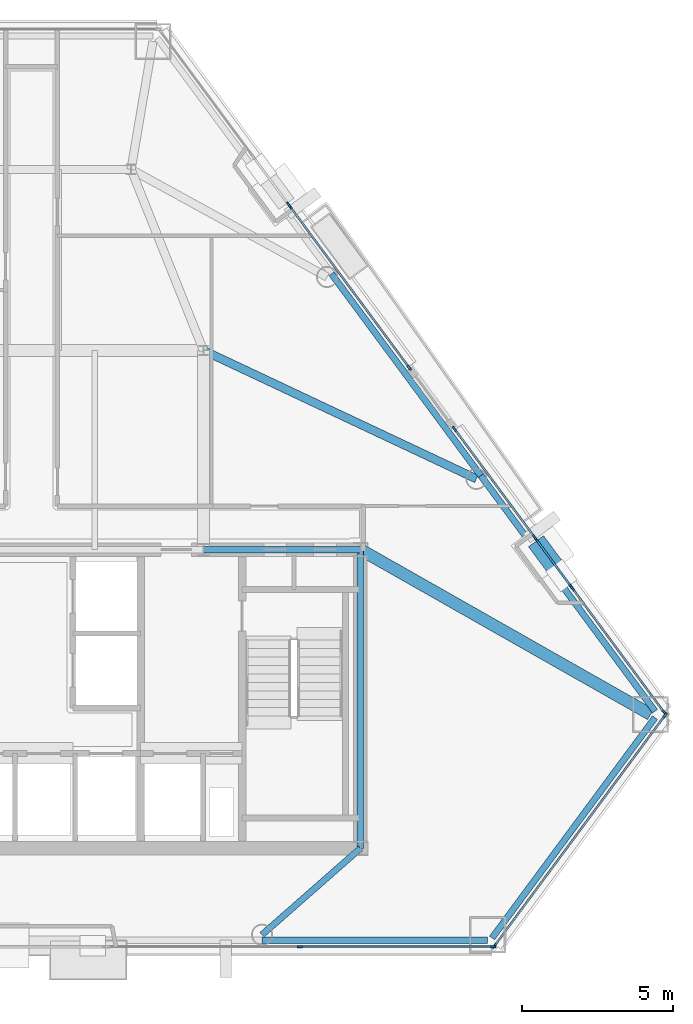
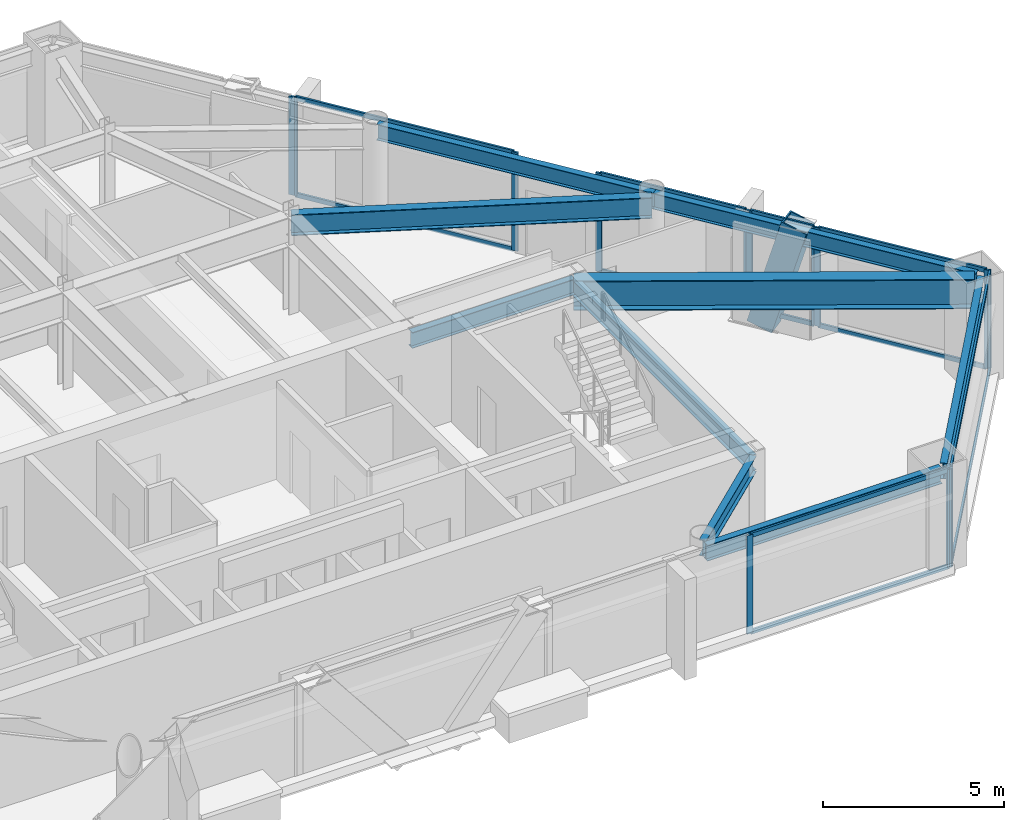
# One storey, part 5 of 11: 26 members, 9 beams, 7 elements without a shape of their own.
"""IFC4 building model written with IfcOpenShell, lengths in metres."""

from ifc_helpers import new_model, si_unit, direction, frame, origin, origin_2d, place, context, subcontext, project, spatial, rectangle, hollow_rectangle, i_section, extrude, material, layer, layer_set, material_profile, profile_set, type_object, element, aggregate, save


model = new_model("IFC4")

# Units and contexts
model_context = context("Model", 3, precision=1e-05, world=origin(), true_north=direction((0.0, 1.0)))
body_context = subcontext(model_context, "Body", "Model", "MODEL_VIEW")
ifc_project = project(units=[si_unit("LENGTHUNIT", "METRE"), si_unit("AREAUNIT", "SQUARE_METRE"), si_unit("VOLUMEUNIT", "CUBIC_METRE"), si_unit("PLANEANGLEUNIT", "RADIAN"), si_unit("MASSUNIT", "GRAM", prefix="KILO")], contexts=[model_context])

# Site, building, storey
site_placement = place(None, origin())
site = spatial("IfcSite", under=ifc_project, at=site_placement, CompositionType="ELEMENT")
building_placement = place(site_placement, origin())
building = spatial("IfcBuilding", under=site, at=building_placement, Name="Talgorran Terracotta Tower", CompositionType="ELEMENT")
storey_placement = place(building_placement, frame((0.0, 0.0, 114.0)))
storey = spatial("IfcBuildingStorey", under=building, at=storey_placement, Name="L29", CompositionType="ELEMENT", Elevation=114.0)

# Beams
ifc_material_1 = material(Name="Steel Grade 350 (350L0)", Category="steel")
ifc_material_profile_1 = material_profile(ifc_material_1, i_section(OverallWidth=0.39990234375, OverallDepth=1.0, WebThickness=0.01611328125, FlangeThickness=0.031005859375, at=origin_2d()), Name="1000WB296")
ifc_profile_set_1 = profile_set([ifc_material_profile_1], Name="Steel Grade 350 (350L0)")
beam_type_1 = type_object("IfcBeamType", Name="BM_1000WB296", PredefinedType="BEAM", material=ifc_profile_set_1)
beam_1_placement = place(storey_placement, frame((12.39990234375, -4.199951171875, 2.820068359375), z_axis=(0.869581927132, -0.493788691654, 0.0), x_axis=(0.493788691654, 0.869581927132, 0.0)))
element("IfcBeam", 1, at=beam_1_placement, inside=storey, type_object=beam_type_1, Name="L29 Floor Girder G18", PredefinedType="BEAM", context=body_context, shape_type="SweptSolid", body=[
    extrude(i_section(OverallWidth=0.39990234375, OverallDepth=1.0, WebThickness=0.01611328125, FlangeThickness=0.031005859375, at=origin_2d()), origin(), (0.0, 0.0, 1.0), 11.061279296875),
])
ifc_material_2 = material(Name="Steel S355 (300PLUS)", Category="steel")
ifc_material_profile_2 = material_profile(ifc_material_2, i_section(OverallWidth=0.27490234375, OverallDepth=0.7080078125, WebThickness=0.011962890625, FlangeThickness=0.02490234375, at=origin_2d()), Name="700WB173")
ifc_profile_set_2 = profile_set([ifc_material_profile_2], Name="Steel S355 (300PLUS)")
beam_type_2 = type_object("IfcBeamType", Name="BM_700WB173", PredefinedType="BEAM", material=ifc_profile_set_2)
beam_2_placement = place(storey_placement, frame((7.199951171875, 2.39990234375, 2.966064453125), z_axis=(0.904850249914, -0.425729990992, 0.0), x_axis=(0.425729990992, 0.904850249914, 0.0)))
element("IfcBeam", 2, at=beam_2_placement, inside=storey, type_object=beam_type_2, Name="L29 Floor Girder G07", PredefinedType="BEAM", context=body_context, shape_type="SweptSolid", body=[
    extrude(i_section(OverallWidth=0.27490234375, OverallDepth=0.7080078125, WebThickness=0.011962890625, FlangeThickness=0.02490234375, at=origin_2d()), origin(), (0.0, 0.0, 1.0), 9.99609375),
])
ifc_material_profile_3 = material_profile(ifc_material_2, i_section(OverallWidth=0.209228515625, OverallDepth=0.532958984375, WebThickness=0.01025390625, FlangeThickness=0.015625, at=origin_2d()), Name="530UB92.4")
ifc_profile_set_3 = profile_set([ifc_material_profile_3], Name="Steel S355 (300PLUS)")
beam_type_3 = type_object("IfcBeamType", Name="BM_SP_530UB92", PredefinedType="SPANDREL", material=ifc_profile_set_3)
beam_3_placement = place(storey_placement, frame((9.14013671875, -17.143310546875, 3.053466796875), z_axis=(1.0, 0.0, 0.0), x_axis=(0.0, 1.0, 0.0)))
element("IfcBeam", 3, at=beam_3_placement, inside=storey, type_object=beam_type_3, Name="L29 Perimeter Spandrel Beam FC2-MC3", PredefinedType="SPANDREL", context=body_context, shape_type="SweptSolid", body=[
    extrude(i_section(OverallWidth=0.209228515625, OverallDepth=0.532958984375, WebThickness=0.01025390625, FlangeThickness=0.015625, at=origin_2d()), origin(), (0.0, 0.0, 1.0), 7.478271484375),
])
beam_4_placement = place(storey_placement, frame((16.762939453125, -17.0703125, 3.053466796875), z_axis=(0.594631406603, 0.803998439228, 0.0), x_axis=(-0.803998439228, 0.594631406603, 0.0)))
element("IfcBeam", 4, at=beam_4_placement, inside=storey, type_object=beam_type_3, Name="L29 Perimeter Spandrel Beam MC3-MC4", PredefinedType="SPANDREL", context=body_context, shape_type="SweptSolid", body=[
    extrude(i_section(OverallWidth=0.209228515625, OverallDepth=0.532958984375, WebThickness=0.01025390625, FlangeThickness=0.015625, at=origin_2d()), origin(), (0.0, 0.0, 1.0), 9.08154296875),
])
beam_5_placement = place(storey_placement, frame((22.1630859375, -9.554931640625, 3.053466796875), z_axis=(-0.594623640759, 0.804004182732, 0.0), x_axis=(-0.804004182732, -0.594623640759, 0.0)))
element("IfcBeam", 5, at=beam_5_placement, inside=storey, type_object=beam_type_3, Name="L29 Perimeter Spandrel Beam MC4-FC3", PredefinedType="SPANDREL", context=body_context, shape_type="SweptSolid", body=[
    extrude(i_section(OverallWidth=0.209228515625, OverallDepth=0.532958984375, WebThickness=0.01025390625, FlangeThickness=0.015625, at=origin_2d()), origin(), (0.0, 0.0, 1.0), 9.70947265625),
])
beam_6_placement = place(storey_placement, frame((16.3896484375, -1.74853515625, 3.053466796875), z_axis=(-0.594631062308, 0.803998693866, 0.0), x_axis=(-0.803998693866, -0.594631062308, 0.0)))
element("IfcBeam", 6, at=beam_6_placement, inside=storey, type_object=beam_type_3, Name="L29 Perimeter Spandrel Beam FC3-FC4", PredefinedType="SPANDREL", context=body_context, shape_type="SweptSolid", body=[
    extrude(i_section(OverallWidth=0.209228515625, OverallDepth=0.532958984375, WebThickness=0.01025390625, FlangeThickness=0.015625, at=origin_2d()), origin(), (0.0, 0.0, 1.0), 8.322265625),
])
beam_7_placement = place(storey_placement, frame((12.39990234375, -14.10009765625, 3.053466796875), z_axis=(-0.751320451725, -0.659937556758, 0.0), x_axis=(0.659937556758, -0.751320451725, 0.0)))
element("IfcBeam", 7, at=beam_7_placement, inside=storey, type_object=beam_type_3, Name="L29 South-East Core Tie Beam", PredefinedType="SPANDREL", context=body_context, shape_type="SweptSolid", body=[
    extrude(i_section(OverallWidth=0.209228515625, OverallDepth=0.532958984375, WebThickness=0.01025390625, FlangeThickness=0.015625, at=origin_2d()), origin(), (0.0, 0.0, 1.0), 4.338623046875),
])
beam_8_placement = place(storey_placement, frame((12.39990234375, -14.10009765625, 3.053466796875), z_axis=(0.0, 1.0, 0.0), x_axis=(-1.0, 0.0, 0.0)))
element("IfcBeam", 8, at=beam_8_placement, inside=storey, type_object=beam_type_3, Name="L29 Core Frame Beam CFE", PredefinedType="SPANDREL", context=body_context, shape_type="SweptSolid", body=[
    extrude(i_section(OverallWidth=0.209228515625, OverallDepth=0.532958984375, WebThickness=0.01025390625, FlangeThickness=0.015625, at=origin_2d()), origin(), (0.0, 0.0, 1.0), 9.900146484375),
])
beam_9_placement = place(storey_placement, frame((7.199951171875, -4.199951171875, 3.053466796875), z_axis=(1.0, 0.0, 0.0), x_axis=(0.0, 1.0, 0.0)))
element("IfcBeam", 9, at=beam_9_placement, inside=storey, type_object=beam_type_3, Name="L29 Core Frame Beam CFN4", PredefinedType="SPANDREL", context=body_context, shape_type="SweptSolid", body=[
    extrude(i_section(OverallWidth=0.209228515625, OverallDepth=0.532958984375, WebThickness=0.01025390625, FlangeThickness=0.015625, at=origin_2d()), origin(), (0.0, 0.0, 1.0), 5.199951171875),
])

# Member
ifc_material_profile_4 = material_profile(ifc_material_1, hollow_rectangle(XDim=0.6201171875, YDim=0.780029296875, WallThickness=0.0419921875, at=origin_2d()), Name="WBOX780X620X42")
ifc_profile_set_4 = profile_set([ifc_material_profile_4], Name="Steel Grade 350 (350L0)")
member_type_1 = type_object("IfcMemberType", Name="MB_MEGA_780", PredefinedType="BRACE", material=ifc_profile_set_4)
member_1_placement = place(storey_placement, frame((18.443359375, -4.22265625, -0.27001953125), z_axis=(0.164883141655, -0.222829086361, 0.960812545645), x_axis=(0.803859807908, 0.594818803696, 0.0)))
element("IfcMember", 10, at=member_1_placement, inside=storey, type_object=member_type_1, Name="L29 Exterior Face Mega-Brace MB-2 (NEL)", PredefinedType="BRACE", context=body_context, shape_type="SweptSolid", body=[
    extrude(hollow_rectangle(XDim=0.6201171875, YDim=0.780029296875, WallThickness=0.0419921875, at=origin_2d()), origin(), (0.0, 0.0, 1.0), 3.762451171875),
])

# Curtain wall, members
ifc_material_3 = material(Name="Unitised Low-E Double Glazing", Category="glass")
ifc_layer = layer(ifc_material_3, 0.199951171875, Name="CW_SYS2_RES_LOW")
ifc_layer_set = layer_set([ifc_layer], Name="Unitised Low-E Double Glazing")
curtain_wall_type = type_object("IfcCurtainWallType", Name="CW_SYS2_RES_LOW", PredefinedType="NOTDEFINED", material=ifc_layer_set)
curtain_wall_1_placement = place(storey_placement, origin())
curtain_wall_1 = element("IfcCurtainWall", 11, at=curtain_wall_1_placement, inside=storey, type_object=curtain_wall_type, Name="CW-L29-F1C", PredefinedType="NOTDEFINED")
ifc_material_4 = material(Name="Architectural Aluminium 6063-T6", Category="aluminium")
ifc_material_profile_5 = material_profile(ifc_material_4, rectangle(XDim=0.06494140625, YDim=0.18505859375, at=origin_2d()), Name="CWM65X185")
ifc_profile_set_5 = profile_set([ifc_material_profile_5], Name="Architectural Aluminium 6063-T6")
member_type_2 = type_object("IfcMemberType", Name="MUL_65X185", PredefinedType="MULLION", material=ifc_profile_set_5)
member_2_placement = place(storey_placement, frame((10.404541015625, -17.36328125, 0.0), z_axis=(0.0, 0.0, 1.0), x_axis=(0.0, 1.0, 0.0)))
member_2 = element("IfcMember", 12, at=member_2_placement, type_object=member_type_2, Name="CW-L29-1C mullion 2", PredefinedType="MULLION", context=body_context, shape_type="SweptSolid", body=[
    extrude(rectangle(XDim=0.06494140625, YDim=0.18505859375, at=origin_2d()), origin(), (0.0, 0.0, 1.0), 3.320068359375),
])
member_3_placement = place(storey_placement, frame((16.78759765625, -17.36328125, 0.0), z_axis=(0.0, 0.0, 1.0), x_axis=(0.0, 1.0, 0.0)))
member_3 = element("IfcMember", 13, at=member_3_placement, type_object=member_type_2, Name="CW-L29-1C mullion 3", PredefinedType="MULLION", context=body_context, shape_type="SweptSolid", body=[
    extrude(rectangle(XDim=0.06494140625, YDim=0.18505859375, at=origin_2d()), origin(), (0.0, 0.0, 1.0), 3.320068359375),
])

curtain_wall_2_placement = place(storey_placement, origin())
curtain_wall_2 = element("IfcCurtainWall", 14, at=curtain_wall_2_placement, inside=storey, type_object=curtain_wall_type, Name="CW-L29-F2", PredefinedType="NOTDEFINED")
member_4_placement = place(storey_placement, frame((16.83935546875, -17.337158203125, 0.0), z_axis=(0.0, 0.0, 1.0), x_axis=(-0.803993423692, 0.594638188027, 0.0)))
member_4 = element("IfcMember", 15, at=member_4_placement, type_object=member_type_2, Name="CW-L29-2 mullion 1", PredefinedType="MULLION", context=body_context, shape_type="SweptSolid", body=[
    extrude(rectangle(XDim=0.06494140625, YDim=0.18505859375, at=origin_2d()), origin(), (0.0, 0.0, 1.0), 3.320068359375),
])
member_5_placement = place(storey_placement, frame((22.49658203125, -9.68798828125, 0.0), z_axis=(0.0, 0.0, 1.0), x_axis=(-0.803993423692, 0.594638188027, 0.0)))
member_5 = element("IfcMember", 16, at=member_5_placement, type_object=member_type_2, Name="CW-L29-2 mullion 2", PredefinedType="MULLION", context=body_context, shape_type="SweptSolid", body=[
    extrude(rectangle(XDim=0.06494140625, YDim=0.18505859375, at=origin_2d()), origin(), (0.0, 0.0, 1.0), 3.320068359375),
])

curtain_wall_3_placement = place(storey_placement, origin())
curtain_wall_3 = element("IfcCurtainWall", 17, at=curtain_wall_3_placement, inside=storey, type_object=curtain_wall_type, Name="CW-L29-F40", PredefinedType="NOTDEFINED")
member_6_placement = place(storey_placement, frame((22.472900390625, -9.603515625, 0.0), z_axis=(0.0, 0.0, 1.0), x_axis=(-0.803992828325, -0.594638993005, 0.0)))
member_6 = element("IfcMember", 18, at=member_6_placement, type_object=member_type_2, Name="CW-L29-40 mullion 1", PredefinedType="MULLION", context=body_context, shape_type="SweptSolid", body=[
    extrude(rectangle(XDim=0.06494140625, YDim=0.18505859375, at=origin_2d()), origin(), (0.0, 0.0, 1.0), 3.320068359375),
])
member_7_placement = place(storey_placement, frame((19.429931640625, -5.489501953125, 0.0), z_axis=(0.0, 0.0, 1.0), x_axis=(-0.803992828325, -0.594638993005, 0.0)))
member_7 = element("IfcMember", 19, at=member_7_placement, type_object=member_type_2, Name="CW-L29-40 mullion 2", PredefinedType="MULLION", context=body_context, shape_type="SweptSolid", body=[
    extrude(rectangle(XDim=0.06494140625, YDim=0.18505859375, at=origin_2d()), origin(), (0.0, 0.0, 1.0), 3.320068359375),
])

curtain_wall_4_placement = place(storey_placement, origin())
curtain_wall_4 = element("IfcCurtainWall", 20, at=curtain_wall_4_placement, inside=storey, type_object=curtain_wall_type, Name="CW-L29-F40B", PredefinedType="NOTDEFINED")
member_8_placement = place(storey_placement, frame((19.38525390625, -5.428955078125, 0.0), z_axis=(0.0, 0.0, 1.0), x_axis=(-0.803996427376, -0.59463412681, 0.0)))
member_8 = element("IfcMember", 21, at=member_8_placement, type_object=member_type_2, Name="CW-L29-40B mullion 1", PredefinedType="MULLION", context=body_context, shape_type="SweptSolid", body=[
    extrude(rectangle(XDim=0.06494140625, YDim=0.18505859375, at=origin_2d()), origin(), (0.0, 0.0, 1.0), 3.320068359375),
])
member_9_placement = place(storey_placement, frame((18.213623046875, -3.8447265625, 0.0), z_axis=(0.0, 0.0, 1.0), x_axis=(-0.803996427376, -0.59463412681, 0.0)))
member_9 = element("IfcMember", 22, at=member_9_placement, type_object=member_type_2, Name="CW-L29-40B mullion 2", PredefinedType="MULLION", context=body_context, shape_type="SweptSolid", body=[
    extrude(rectangle(XDim=0.06494140625, YDim=0.18505859375, at=origin_2d()), origin(), (0.0, 0.0, 1.0), 3.320068359375),
])

curtain_wall_5_placement = place(storey_placement, origin())
curtain_wall_5 = element("IfcCurtainWall", 23, at=curtain_wall_5_placement, inside=storey, type_object=curtain_wall_type, Name="CW-L29-F40C", PredefinedType="NOTDEFINED")
member_10_placement = place(storey_placement, frame((18.1689453125, -3.7841796875, 0.0), z_axis=(0.0, 0.0, 1.0), x_axis=(-0.803991372709, -0.594640961093, 0.0)))
member_10 = element("IfcMember", 24, at=member_10_placement, type_object=member_type_2, Name="CW-L29-40C mullion 1", PredefinedType="MULLION", context=body_context, shape_type="SweptSolid", body=[
    extrude(rectangle(XDim=0.06494140625, YDim=0.18505859375, at=origin_2d()), origin(), (0.0, 0.0, 1.0), 3.320068359375),
])
member_11_placement = place(storey_placement, frame((15.518310546875, -0.200439453125, 0.0), z_axis=(0.0, 0.0, 1.0), x_axis=(-0.803991372709, -0.594640961093, 0.0)))
member_11 = element("IfcMember", 25, at=member_11_placement, type_object=member_type_2, Name="CW-L29-40C mullion 2", PredefinedType="MULLION", context=body_context, shape_type="SweptSolid", body=[
    extrude(rectangle(XDim=0.06494140625, YDim=0.18505859375, at=origin_2d()), origin(), (0.0, 0.0, 1.0), 3.320068359375),
])

curtain_wall_6_placement = place(storey_placement, origin())
curtain_wall_6 = element("IfcCurtainWall", 26, at=curtain_wall_6_placement, inside=storey, type_object=curtain_wall_type, Name="CW-L29-F41", PredefinedType="NOTDEFINED")
member_12_placement = place(storey_placement, frame((14.016845703125, 1.82958984375, 0.0), z_axis=(0.0, 0.0, 1.0), x_axis=(-0.803993666827, -0.594637859291, 0.0)))
member_12 = element("IfcMember", 27, at=member_12_placement, type_object=member_type_2, Name="CW-L29-41 mullion 1", PredefinedType="MULLION", context=body_context, shape_type="SweptSolid", body=[
    extrude(rectangle(XDim=0.06494140625, YDim=0.18505859375, at=origin_2d()), origin(), (0.0, 0.0, 1.0), 3.320068359375),
])
member_13_placement = place(storey_placement, frame((10.065673828125, 7.171875, 0.0), z_axis=(0.0, 0.0, 1.0), x_axis=(-0.803993666827, -0.594637859291, 0.0)))
member_13 = element("IfcMember", 28, at=member_13_placement, type_object=member_type_2, Name="CW-L29-41 mullion 2", PredefinedType="MULLION", context=body_context, shape_type="SweptSolid", body=[
    extrude(rectangle(XDim=0.06494140625, YDim=0.18505859375, at=origin_2d()), origin(), (0.0, 0.0, 1.0), 3.320068359375),
])

# Curtain wall, member
curtain_wall_7_placement = place(storey_placement, origin())
curtain_wall_7 = element("IfcCurtainWall", 29, at=curtain_wall_7_placement, inside=storey, type_object=curtain_wall_type, Name="CW-L29-F41B", PredefinedType="NOTDEFINED")
member_14_placement = place(storey_placement, frame((10.02099609375, 7.232177734375, 0.0), z_axis=(0.0, 0.0, 1.0), x_axis=(-0.803990312239, -0.594642394912, 0.0)))
member_14 = element("IfcMember", 30, at=member_14_placement, type_object=member_type_2, Name="CW-L29-41B mullion 1", PredefinedType="MULLION", context=body_context, shape_type="SweptSolid", body=[
    extrude(rectangle(XDim=0.06494140625, YDim=0.18505859375, at=origin_2d()), origin(), (0.0, 0.0, 1.0), 3.320068359375),
])
aggregate(curtain_wall_7, [member_14])

# Member
ifc_material_profile_6 = material_profile(ifc_material_4, rectangle(XDim=0.06494140625, YDim=0.14990234375, at=origin_2d()), Name="CWT65X150")
ifc_profile_set_6 = profile_set([ifc_material_profile_6], Name="Architectural Aluminium 6063-T6")
member_type_3 = type_object("IfcMemberType", Name="TRN_65X150", PredefinedType="USERDEFINED", material=ifc_profile_set_6)
member_15_placement = place(storey_placement, frame((10.43701171875, -17.36328125, 0.032470703125), z_axis=(1.0, 0.0, 0.0), x_axis=(0.0, 1.0, 0.0)))
member_15 = element("IfcMember", 31, at=member_15_placement, type_object=member_type_3, Name="CW-L29-1C transom 2.1", ObjectType="TRANSOM", PredefinedType="USERDEFINED", context=body_context, shape_type="SweptSolid", body=[
    extrude(rectangle(XDim=0.06494140625, YDim=0.14990234375, at=origin_2d()), origin(), (0.0, 0.0, 1.0), 6.31787109375),
])

member_16_placement = place(storey_placement, frame((10.43701171875, -17.36328125, 3.28759765625), z_axis=(1.0, 0.0, 0.0), x_axis=(0.0, 1.0, 0.0)))
member_16 = element("IfcMember", 32, at=member_16_placement, type_object=member_type_3, Name="CW-L29-1C transom 2.2", ObjectType="TRANSOM", PredefinedType="USERDEFINED", context=body_context, shape_type="SweptSolid", body=[
    extrude(rectangle(XDim=0.06494140625, YDim=0.14990234375, at=origin_2d()), origin(), (0.0, 0.0, 1.0), 6.31787109375),
])

aggregate(curtain_wall_1, [member_2, member_3, member_15, member_16])

member_17_placement = place(storey_placement, frame((16.858642578125, -17.31103515625, 0.032470703125), z_axis=(0.594632956337, 0.803997293054, 0.0), x_axis=(-0.803997293054, 0.594632956337, 0.0)))
member_17 = element("IfcMember", 33, at=member_17_placement, type_object=member_type_3, Name="CW-L29-2 transom 1.1", ObjectType="TRANSOM", PredefinedType="USERDEFINED", context=body_context, shape_type="SweptSolid", body=[
    extrude(rectangle(XDim=0.06494140625, YDim=0.14990234375, at=origin_2d()), origin(), (0.0, 0.0, 1.0), 9.448974609375),
])

member_18_placement = place(storey_placement, frame((16.858642578125, -17.31103515625, 3.28759765625), z_axis=(0.594632956337, 0.803997293054, 0.0), x_axis=(-0.803997293054, 0.594632956337, 0.0)))
member_18 = element("IfcMember", 34, at=member_18_placement, type_object=member_type_3, Name="CW-L29-2 transom 1.2", ObjectType="TRANSOM", PredefinedType="USERDEFINED", context=body_context, shape_type="SweptSolid", body=[
    extrude(rectangle(XDim=0.06494140625, YDim=0.14990234375, at=origin_2d()), origin(), (0.0, 0.0, 1.0), 9.448974609375),
])

aggregate(curtain_wall_2, [member_4, member_5, member_17, member_18])

member_19_placement = place(storey_placement, frame((22.45361328125, -9.577392578125, 0.032470703125), z_axis=(-0.594643765181, 0.803989298766, 0.0), x_axis=(-0.803989298766, -0.594643765181, 0.0)))
member_19 = element("IfcMember", 35, at=member_19_placement, type_object=member_type_3, Name="CW-L29-40 transom 1.1", ObjectType="TRANSOM", PredefinedType="USERDEFINED", context=body_context, shape_type="SweptSolid", body=[
    extrude(rectangle(XDim=0.06494140625, YDim=0.14990234375, at=origin_2d()), origin(), (0.0, 0.0, 1.0), 5.052001953125),
])

member_20_placement = place(storey_placement, frame((22.45361328125, -9.577392578125, 3.28759765625), z_axis=(-0.594643765181, 0.803989298766, 0.0), x_axis=(-0.803989298766, -0.594643765181, 0.0)))
member_20 = element("IfcMember", 36, at=member_20_placement, type_object=member_type_3, Name="CW-L29-40 transom 1.2", ObjectType="TRANSOM", PredefinedType="USERDEFINED", context=body_context, shape_type="SweptSolid", body=[
    extrude(rectangle(XDim=0.06494140625, YDim=0.14990234375, at=origin_2d()), origin(), (0.0, 0.0, 1.0), 5.052001953125),
])

aggregate(curtain_wall_3, [member_6, member_7, member_19, member_20])

member_21_placement = place(storey_placement, frame((19.365966796875, -5.40283203125, 0.032470703125), z_axis=(-0.594636009246, 0.803995035126, 0.0), x_axis=(-0.803995035126, -0.594636009246, 0.0)))
member_21 = element("IfcMember", 37, at=member_21_placement, type_object=member_type_3, Name="CW-L29-40B transom 1.1", ObjectType="TRANSOM", PredefinedType="USERDEFINED", context=body_context, shape_type="SweptSolid", body=[
    extrude(rectangle(XDim=0.06494140625, YDim=0.14990234375, at=origin_2d()), origin(), (0.0, 0.0, 1.0), 1.905517578125),
])

member_22_placement = place(storey_placement, frame((19.365966796875, -5.40283203125, 3.28759765625), z_axis=(-0.594636009246, 0.803995035126, 0.0), x_axis=(-0.803995035126, -0.594636009246, 0.0)))
member_22 = element("IfcMember", 38, at=member_22_placement, type_object=member_type_3, Name="CW-L29-40B transom 1.2", ObjectType="TRANSOM", PredefinedType="USERDEFINED", context=body_context, shape_type="SweptSolid", body=[
    extrude(rectangle(XDim=0.06494140625, YDim=0.14990234375, at=origin_2d()), origin(), (0.0, 0.0, 1.0), 1.905517578125),
])

aggregate(curtain_wall_4, [member_8, member_9, member_21, member_22])

member_23_placement = place(storey_placement, frame((18.149658203125, -3.758056640625, 0.032470703125), z_axis=(-0.594659827339, 0.803977418681, 0.0), x_axis=(-0.803977418681, -0.594659827339, 0.0)))
member_23 = element("IfcMember", 39, at=member_23_placement, type_object=member_type_3, Name="CW-L29-40C transom 1.1", ObjectType="TRANSOM", PredefinedType="USERDEFINED", context=body_context, shape_type="SweptSolid", body=[
    extrude(rectangle(XDim=0.06494140625, YDim=0.14990234375, at=origin_2d()), origin(), (0.0, 0.0, 1.0), 4.392578125),
])

member_24_placement = place(storey_placement, frame((18.149658203125, -3.758056640625, 3.28759765625), z_axis=(-0.594659827339, 0.803977418681, 0.0), x_axis=(-0.803977418681, -0.594659827339, 0.0)))
member_24 = element("IfcMember", 40, at=member_24_placement, type_object=member_type_3, Name="CW-L29-40C transom 1.2", ObjectType="TRANSOM", PredefinedType="USERDEFINED", context=body_context, shape_type="SweptSolid", body=[
    extrude(rectangle(XDim=0.06494140625, YDim=0.14990234375, at=origin_2d()), origin(), (0.0, 0.0, 1.0), 4.392578125),
])

aggregate(curtain_wall_5, [member_10, member_11, member_23, member_24])

member_25_placement = place(storey_placement, frame((13.99755859375, 1.855712890625, 0.032470703125), z_axis=(-0.594643508569, 0.803989488561, 0.0), x_axis=(-0.803989488561, -0.594643508569, 0.0)))
member_25 = element("IfcMember", 41, at=member_25_placement, type_object=member_type_3, Name="CW-L29-41 transom 1.1", ObjectType="TRANSOM", PredefinedType="USERDEFINED", context=body_context, shape_type="SweptSolid", body=[
    extrude(rectangle(XDim=0.06494140625, YDim=0.14990234375, at=origin_2d()), origin(), (0.0, 0.0, 1.0), 6.579833984375),
])

member_26_placement = place(storey_placement, frame((13.99755859375, 1.855712890625, 3.28759765625), z_axis=(-0.594643508569, 0.803989488561, 0.0), x_axis=(-0.803989488561, -0.594643508569, 0.0)))
member_26 = element("IfcMember", 42, at=member_26_placement, type_object=member_type_3, Name="CW-L29-41 transom 1.2", ObjectType="TRANSOM", PredefinedType="USERDEFINED", context=body_context, shape_type="SweptSolid", body=[
    extrude(rectangle(XDim=0.06494140625, YDim=0.14990234375, at=origin_2d()), origin(), (0.0, 0.0, 1.0), 6.579833984375),
])

aggregate(curtain_wall_6, [member_12, member_13, member_25, member_26])

save(model, "model.ifc")
